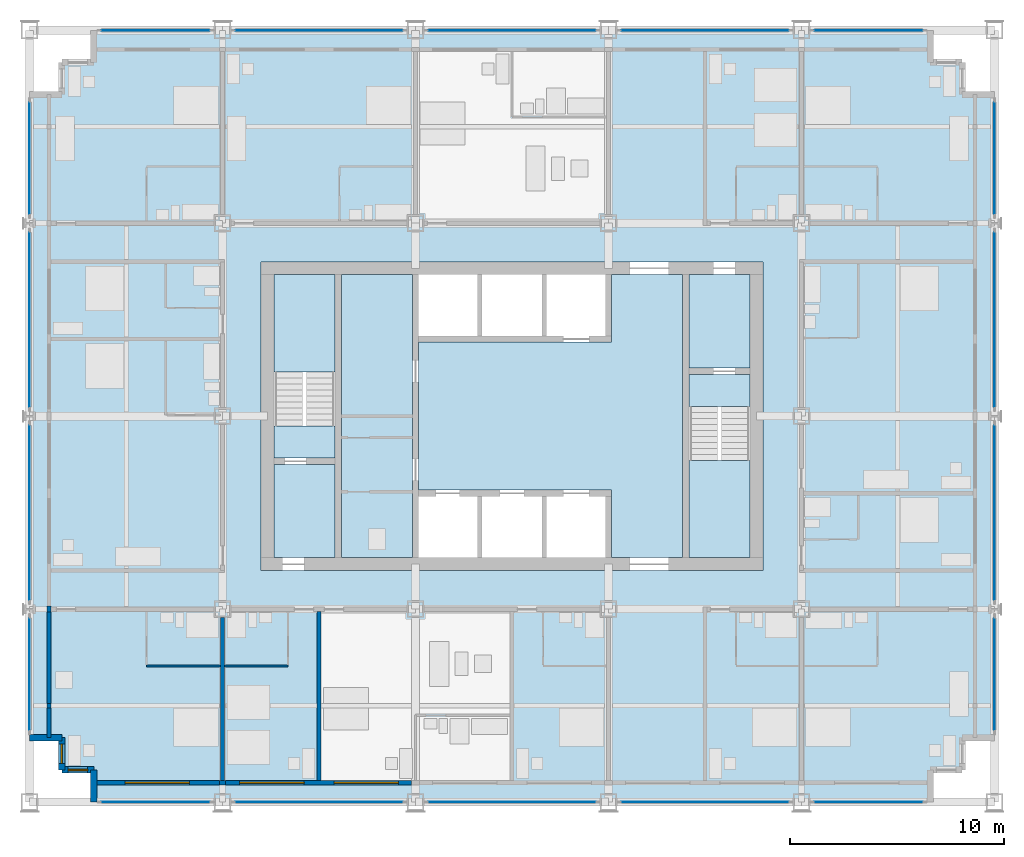
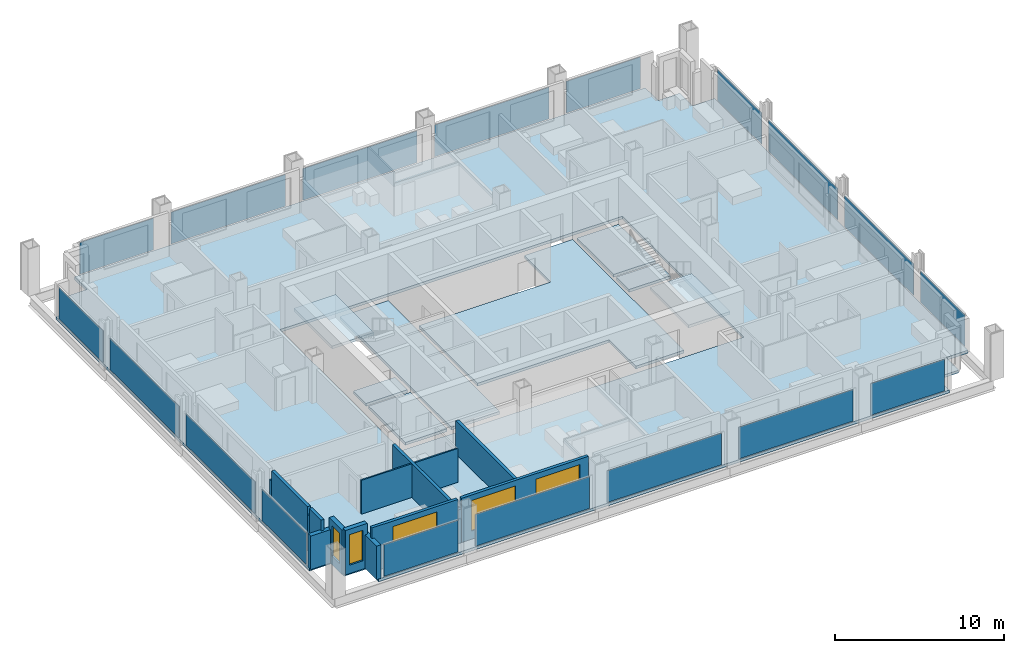
# One storey, part 8 of 16: 18 plates, 15 walls, 9 slabs, 5 windows, 5 openings, 20 elements without a shape of their own.
"""IFC4 building model written with IfcOpenShell, lengths in metres."""

from ifc_helpers import new_model, si_unit, direction, frame, frame_2d, origin, origin_2d, place, context, subcontext, project, spatial, polyline, rectangle, outline, extrude, material, layer, layer_set, type_object, element, fill, aggregate, save


model = new_model("IFC4")

# Units and contexts
model_context = context("Model", 3, precision=1e-05, world=origin(), true_north=direction((0.0, 1.0)))
body_context = subcontext(model_context, "Body", "Model", "MODEL_VIEW")
ifc_project = project(units=[si_unit("LENGTHUNIT", "METRE"), si_unit("AREAUNIT", "SQUARE_METRE"), si_unit("VOLUMEUNIT", "CUBIC_METRE"), si_unit("PLANEANGLEUNIT", "RADIAN"), si_unit("MASSUNIT", "GRAM", prefix="KILO")], contexts=[model_context])

# Site, building, storey
site_placement = place(None, origin())
site = spatial("IfcSite", under=ifc_project, at=site_placement, CompositionType="ELEMENT")
building_placement = place(site_placement, origin())
building = spatial("IfcBuilding", under=site, at=building_placement, Name="Loomwork Tower", CompositionType="ELEMENT")
storey_placement = place(building_placement, frame((0.0, 0.0, 118.0)))
storey = spatial("IfcBuildingStorey", under=building, at=storey_placement, Name="L31", CompositionType="ELEMENT", Elevation=118.0)

# Slabs
ifc_material_1 = material(Name="Concrete 5000 psi (34 MPa) on composite metal deck", Category="concrete")
ifc_layer_1 = layer(ifc_material_1, 0.199951171875)
ifc_layer_set_1 = layer_set([ifc_layer_1], Name="Floor slab 200")
slab_type_1 = type_object("IfcSlabType", Name="Floor slab 200", PredefinedType="FLOOR", material=ifc_layer_set_1)
slab_1_placement = place(storey_placement, frame((0.0, 0.0, -0.199951171875)))
element("IfcSlab", 1, at=slab_1_placement, inside=storey, type_object=slab_type_1, Name="Floor slab L31", PredefinedType="FLOOR", context=body_context, shape_type="SweptSolid", body=[
    extrude(outline(polyline([(3.0, 1.5), (1.5, 1.5), (1.5, 3.0), (0.0, 3.0), (0.0, 33.0), (1.5, 33.0), (1.5, 34.5), (3.0, 34.5), (3.0, 36.0), (42.0, 36.0), (42.0, 34.5), (43.5, 34.5), (43.5, 33.0), (45.0, 33.0), (45.0, 3.0), (43.5, 3.0), (43.5, 1.5), (42.0, 1.5), (42.0, 0.0), (3.0, 0.0), (3.0, 1.5)]), holes=[polyline([(10.800048828125, 11.39990234375), (10.800048828125, 11.39990234375), (10.800048828125, 10.800048828125), (34.199951171875, 10.800048828125), (34.199951171875, 11.39990234375), (34.199951171875, 11.39990234375), (34.199951171875, 24.60009765625), (34.199951171875, 25.199951171875), (10.800048828125, 25.199951171875), (10.800048828125, 24.60009765625), (10.800048828125, 11.39990234375)])]), origin(), (0.0, 0.0, 1.0), 0.199951171875),
])
slab_2_placement = place(storey_placement, frame((0.0, 0.0, -0.199951171875)))
element("IfcSlab", 2, at=slab_2_placement, inside=storey, type_object=slab_type_1, Name="Floor slab L31", PredefinedType="FLOOR", context=body_context, shape_type="SweptSolid", body=[
    extrude(outline(polyline([(30.449951171875, 24.60009765625), (30.449951171875, 11.39990234375), (27.14990234375, 11.39990234375), (27.14990234375, 14.25), (27.14990234375, 14.550048828125), (18.14990234375, 14.550048828125), (18.14990234375, 21.449951171875), (27.14990234375, 21.449951171875), (27.14990234375, 21.75), (27.14990234375, 24.60009765625), (30.449951171875, 24.60009765625)])), origin(), (0.0, 0.0, 1.0), 0.199951171875),
])
slab_3_placement = place(storey_placement, frame((0.0, 0.0, -0.199951171875)))
element("IfcSlab", 3, at=slab_3_placement, inside=storey, type_object=slab_type_1, Name="Floor slab L31", PredefinedType="FLOOR", context=body_context, shape_type="SweptSolid", body=[
    extrude(outline(polyline([(14.550048828125, 11.39990234375), (14.550048828125, 24.60009765625), (17.85009765625, 24.60009765625), (17.85009765625, 11.39990234375), (14.550048828125, 11.39990234375)])), origin(), (0.0, 0.0, 1.0), 0.199951171875),
])
slab_4_placement = place(storey_placement, frame((0.0, 0.0, -0.199951171875)))
element("IfcSlab", 4, at=slab_4_placement, inside=storey, type_object=slab_type_1, Name="Floor slab L31", PredefinedType="FLOOR", context=body_context, shape_type="SweptSolid", body=[
    extrude(outline(polyline([(33.60009765625, 20.25), (30.75, 20.25), (30.75, 24.60009765625), (33.60009765625, 24.60009765625), (33.60009765625, 20.25)])), origin(), (0.0, 0.0, 1.0), 0.199951171875),
])
slab_5_placement = place(storey_placement, frame((0.0, 0.0, -0.199951171875)))
element("IfcSlab", 5, at=slab_5_placement, inside=storey, type_object=slab_type_1, Name="Floor slab L31", PredefinedType="FLOOR", context=body_context, shape_type="SweptSolid", body=[
    extrude(outline(polyline([(14.25, 15.75), (14.25, 11.39990234375), (11.39990234375, 11.39990234375), (11.39990234375, 15.75), (14.25, 15.75)])), origin(), (0.0, 0.0, 1.0), 0.199951171875),
])

# Curtain wall, plate
ifc_material_2 = material(Name="Aluminium curtain wall frame", Category="aluminium")
curtain_wall_type = type_object("IfcCurtainWallType", Name="Outer skin glazing hotel", PredefinedType="NOTDEFINED", material=ifc_material_2)
curtain_wall_1_placement = place(storey_placement, origin())
curtain_wall_1 = element("IfcCurtainWall", 6, at=curtain_wall_1_placement, inside=storey, type_object=curtain_wall_type, Name="Outer skin glazing hotel cw/S-0", PredefinedType="NOTDEFINED")
ifc_material_3 = material(Name="Clear laminated glass", Category="glass")
ifc_layer_2 = layer(ifc_material_3, 0.02392578125)
ifc_layer_set_2 = layer_set([ifc_layer_2], Name="Outer skin glazing hotel panel")
plate_type = type_object("IfcPlateType", Name="Outer skin glazing hotel panel", PredefinedType="CURTAIN_PANEL", material=ifc_layer_set_2)
plate_1_placement = place(storey_placement, frame((5.875, 0.0, 0.06494140625), z_axis=(0.0, 0.0, 1.0), x_axis=(1.0, 0.0, 0.0)))
plate_1 = element("IfcPlate", 7, at=plate_1_placement, type_object=plate_type, Name="CW1 panel 1.1", PredefinedType="CURTAIN_PANEL", context=body_context, shape_type="SweptSolid", body=[
    extrude(rectangle(XDim=5.050048828125, YDim=0.02392578125, at=origin_2d()), origin(), (0.0, 0.0, 1.0), 2.290283203125),
])
aggregate(curtain_wall_1, [plate_1])

curtain_wall_2_placement = place(storey_placement, origin())
curtain_wall_2 = element("IfcCurtainWall", 8, at=curtain_wall_2_placement, inside=storey, type_object=curtain_wall_type, Name="Outer skin glazing hotel cw/S-9", PredefinedType="NOTDEFINED")
plate_2_placement = place(storey_placement, frame((13.5, 0.0, 0.06494140625), z_axis=(0.0, 0.0, 1.0), x_axis=(1.0, 0.0, 0.0)))
plate_2 = element("IfcPlate", 9, at=plate_2_placement, type_object=plate_type, Name="CW1 panel 1.1", PredefinedType="CURTAIN_PANEL", context=body_context, shape_type="SweptSolid", body=[
    extrude(rectangle(XDim=7.800048828125, YDim=0.02392578125, at=origin_2d()), origin(), (0.0, 0.0, 1.0), 2.290283203125),
])
aggregate(curtain_wall_2, [plate_2])

curtain_wall_3_placement = place(storey_placement, origin())
curtain_wall_3 = element("IfcCurtainWall", 10, at=curtain_wall_3_placement, inside=storey, type_object=curtain_wall_type, Name="Outer skin glazing hotel cw/S-18", PredefinedType="NOTDEFINED")
plate_3_placement = place(storey_placement, frame((22.5, 0.0, 0.06494140625), z_axis=(0.0, 0.0, 1.0), x_axis=(1.0, 0.0, 0.0)))
plate_3 = element("IfcPlate", 11, at=plate_3_placement, type_object=plate_type, Name="CW1 panel 1.1", PredefinedType="CURTAIN_PANEL", context=body_context, shape_type="SweptSolid", body=[
    extrude(rectangle(XDim=7.800048828125, YDim=0.02392578125, at=origin_2d()), origin(), (0.0, 0.0, 1.0), 2.290283203125),
])
aggregate(curtain_wall_3, [plate_3])

curtain_wall_4_placement = place(storey_placement, origin())
curtain_wall_4 = element("IfcCurtainWall", 12, at=curtain_wall_4_placement, inside=storey, type_object=curtain_wall_type, Name="Outer skin glazing hotel cw/S-27", PredefinedType="NOTDEFINED")
plate_4_placement = place(storey_placement, frame((31.5, 0.0, 0.06494140625), z_axis=(0.0, 0.0, 1.0), x_axis=(1.0, 0.0, 0.0)))
plate_4 = element("IfcPlate", 13, at=plate_4_placement, type_object=plate_type, Name="CW1 panel 1.1", PredefinedType="CURTAIN_PANEL", context=body_context, shape_type="SweptSolid", body=[
    extrude(rectangle(XDim=7.800048828125, YDim=0.02392578125, at=origin_2d()), origin(), (0.0, 0.0, 1.0), 2.290283203125),
])
aggregate(curtain_wall_4, [plate_4])

curtain_wall_5_placement = place(storey_placement, origin())
curtain_wall_5 = element("IfcCurtainWall", 14, at=curtain_wall_5_placement, inside=storey, type_object=curtain_wall_type, Name="Outer skin glazing hotel cw/S-36", PredefinedType="NOTDEFINED")
plate_5_placement = place(storey_placement, frame((39.125, 0.0, 0.06494140625), z_axis=(0.0, 0.0, 1.0), x_axis=(1.0, 0.0, 0.0)))
plate_5 = element("IfcPlate", 15, at=plate_5_placement, type_object=plate_type, Name="CW1 panel 1.1", PredefinedType="CURTAIN_PANEL", context=body_context, shape_type="SweptSolid", body=[
    extrude(rectangle(XDim=5.050048828125, YDim=0.02392578125, at=origin_2d()), origin(), (0.0, 0.0, 1.0), 2.290283203125),
])
aggregate(curtain_wall_5, [plate_5])

curtain_wall_6_placement = place(storey_placement, origin())
curtain_wall_6 = element("IfcCurtainWall", 16, at=curtain_wall_6_placement, inside=storey, type_object=curtain_wall_type, Name="Outer skin glazing hotel cw/N-0", PredefinedType="NOTDEFINED")
plate_6_placement = place(storey_placement, frame((5.875, 36.0, 0.06494140625), z_axis=(0.0, 0.0, 1.0), x_axis=(-1.0, 0.0, 0.0)))
plate_6 = element("IfcPlate", 17, at=plate_6_placement, type_object=plate_type, Name="CW1 panel 1.1", PredefinedType="CURTAIN_PANEL", context=body_context, shape_type="SweptSolid", body=[
    extrude(rectangle(XDim=5.050048828125, YDim=0.02392578125, at=origin_2d()), origin(), (0.0, 0.0, 1.0), 2.290283203125),
])
aggregate(curtain_wall_6, [plate_6])

curtain_wall_7_placement = place(storey_placement, origin())
curtain_wall_7 = element("IfcCurtainWall", 18, at=curtain_wall_7_placement, inside=storey, type_object=curtain_wall_type, Name="Outer skin glazing hotel cw/N-9", PredefinedType="NOTDEFINED")
plate_7_placement = place(storey_placement, frame((13.5, 36.0, 0.06494140625), z_axis=(0.0, 0.0, 1.0), x_axis=(-1.0, 0.0, 0.0)))
plate_7 = element("IfcPlate", 19, at=plate_7_placement, type_object=plate_type, Name="CW1 panel 1.1", PredefinedType="CURTAIN_PANEL", context=body_context, shape_type="SweptSolid", body=[
    extrude(rectangle(XDim=7.800048828125, YDim=0.02392578125, at=origin_2d()), origin(), (0.0, 0.0, 1.0), 2.290283203125),
])
aggregate(curtain_wall_7, [plate_7])

curtain_wall_8_placement = place(storey_placement, origin())
curtain_wall_8 = element("IfcCurtainWall", 20, at=curtain_wall_8_placement, inside=storey, type_object=curtain_wall_type, Name="Outer skin glazing hotel cw/N-18", PredefinedType="NOTDEFINED")
plate_8_placement = place(storey_placement, frame((22.5, 36.0, 0.06494140625), z_axis=(0.0, 0.0, 1.0), x_axis=(-1.0, 0.0, 0.0)))
plate_8 = element("IfcPlate", 21, at=plate_8_placement, type_object=plate_type, Name="CW1 panel 1.1", PredefinedType="CURTAIN_PANEL", context=body_context, shape_type="SweptSolid", body=[
    extrude(rectangle(XDim=7.800048828125, YDim=0.02392578125, at=origin_2d()), origin(), (0.0, 0.0, 1.0), 2.290283203125),
])
aggregate(curtain_wall_8, [plate_8])

curtain_wall_9_placement = place(storey_placement, origin())
curtain_wall_9 = element("IfcCurtainWall", 22, at=curtain_wall_9_placement, inside=storey, type_object=curtain_wall_type, Name="Outer skin glazing hotel cw/N-27", PredefinedType="NOTDEFINED")
plate_9_placement = place(storey_placement, frame((31.5, 36.0, 0.06494140625), z_axis=(0.0, 0.0, 1.0), x_axis=(-1.0, 0.0, 0.0)))
plate_9 = element("IfcPlate", 23, at=plate_9_placement, type_object=plate_type, Name="CW1 panel 1.1", PredefinedType="CURTAIN_PANEL", context=body_context, shape_type="SweptSolid", body=[
    extrude(rectangle(XDim=7.800048828125, YDim=0.02392578125, at=origin_2d()), origin(), (0.0, 0.0, 1.0), 2.290283203125),
])
aggregate(curtain_wall_9, [plate_9])

curtain_wall_10_placement = place(storey_placement, origin())
curtain_wall_10 = element("IfcCurtainWall", 24, at=curtain_wall_10_placement, inside=storey, type_object=curtain_wall_type, Name="Outer skin glazing hotel cw/N-36", PredefinedType="NOTDEFINED")
plate_10_placement = place(storey_placement, frame((39.125, 36.0, 0.06494140625), z_axis=(0.0, 0.0, 1.0), x_axis=(-1.0, 0.0, 0.0)))
plate_10 = element("IfcPlate", 25, at=plate_10_placement, type_object=plate_type, Name="CW1 panel 1.1", PredefinedType="CURTAIN_PANEL", context=body_context, shape_type="SweptSolid", body=[
    extrude(rectangle(XDim=5.050048828125, YDim=0.02392578125, at=origin_2d()), origin(), (0.0, 0.0, 1.0), 2.290283203125),
])
aggregate(curtain_wall_10, [plate_10])

curtain_wall_11_placement = place(storey_placement, origin())
curtain_wall_11 = element("IfcCurtainWall", 26, at=curtain_wall_11_placement, inside=storey, type_object=curtain_wall_type, Name="Outer skin glazing hotel cw/W-0", PredefinedType="NOTDEFINED")
plate_11_placement = place(storey_placement, frame((0.0, 5.962646484375, 0.06494140625), z_axis=(0.0, 0.0, 1.0), x_axis=(0.0, -1.0, 0.0)))
plate_11 = element("IfcPlate", 27, at=plate_11_placement, type_object=plate_type, Name="CW1 panel 1.1", PredefinedType="CURTAIN_PANEL", context=body_context, shape_type="SweptSolid", body=[
    extrude(rectangle(XDim=5.22509765625, YDim=0.02392578125, at=origin_2d()), origin(), (0.0, 0.0, 1.0), 2.290283203125),
])
aggregate(curtain_wall_11, [plate_11])

curtain_wall_12_placement = place(storey_placement, origin())
curtain_wall_12 = element("IfcCurtainWall", 28, at=curtain_wall_12_placement, inside=storey, type_object=curtain_wall_type, Name="Outer skin glazing hotel cw/W-9", PredefinedType="NOTDEFINED")
plate_12_placement = place(storey_placement, frame((0.0, 13.5, 0.06494140625), z_axis=(0.0, 0.0, 1.0), x_axis=(0.0, -1.0, 0.0)))
plate_12 = element("IfcPlate", 29, at=plate_12_placement, type_object=plate_type, Name="CW1 panel 1.1", PredefinedType="CURTAIN_PANEL", context=body_context, shape_type="SweptSolid", body=[
    extrude(rectangle(XDim=8.150390625, YDim=0.02392578125, at=origin_2d()), origin(), (0.0, 0.0, 1.0), 2.290283203125),
])
aggregate(curtain_wall_12, [plate_12])

curtain_wall_13_placement = place(storey_placement, origin())
curtain_wall_13 = element("IfcCurtainWall", 30, at=curtain_wall_13_placement, inside=storey, type_object=curtain_wall_type, Name="Outer skin glazing hotel cw/W-18", PredefinedType="NOTDEFINED")
plate_13_placement = place(storey_placement, frame((0.0, 22.5, 0.06494140625), z_axis=(0.0, 0.0, 1.0), x_axis=(0.0, -1.0, 0.0)))
plate_13 = element("IfcPlate", 31, at=plate_13_placement, type_object=plate_type, Name="CW1 panel 1.1", PredefinedType="CURTAIN_PANEL", context=body_context, shape_type="SweptSolid", body=[
    extrude(rectangle(XDim=8.150390625, YDim=0.02392578125, at=origin_2d()), origin(), (0.0, 0.0, 1.0), 2.290283203125),
])
aggregate(curtain_wall_13, [plate_13])

curtain_wall_14_placement = place(storey_placement, origin())
curtain_wall_14 = element("IfcCurtainWall", 32, at=curtain_wall_14_placement, inside=storey, type_object=curtain_wall_type, Name="Outer skin glazing hotel cw/W-27", PredefinedType="NOTDEFINED")
plate_14_placement = place(storey_placement, frame((0.0, 30.037353515625, 0.06494140625), z_axis=(0.0, 0.0, 1.0), x_axis=(0.0, -1.0, 0.0)))
plate_14 = element("IfcPlate", 33, at=plate_14_placement, type_object=plate_type, Name="CW1 panel 1.1", PredefinedType="CURTAIN_PANEL", context=body_context, shape_type="SweptSolid", body=[
    extrude(rectangle(XDim=5.22509765625, YDim=0.02392578125, at=origin_2d()), origin(), (0.0, 0.0, 1.0), 2.290283203125),
])
aggregate(curtain_wall_14, [plate_14])

curtain_wall_15_placement = place(storey_placement, origin())
curtain_wall_15 = element("IfcCurtainWall", 34, at=curtain_wall_15_placement, inside=storey, type_object=curtain_wall_type, Name="Outer skin glazing hotel cw/E-0", PredefinedType="NOTDEFINED")
plate_15_placement = place(storey_placement, frame((45.0, 5.962646484375, 0.06494140625), z_axis=(0.0, 0.0, 1.0), x_axis=(0.0, 1.0, 0.0)))
plate_15 = element("IfcPlate", 35, at=plate_15_placement, type_object=plate_type, Name="CW1 panel 1.1", PredefinedType="CURTAIN_PANEL", context=body_context, shape_type="SweptSolid", body=[
    extrude(rectangle(XDim=5.22509765625, YDim=0.02392578125, at=origin_2d()), origin(), (0.0, 0.0, 1.0), 2.290283203125),
])
aggregate(curtain_wall_15, [plate_15])

curtain_wall_16_placement = place(storey_placement, origin())
curtain_wall_16 = element("IfcCurtainWall", 36, at=curtain_wall_16_placement, inside=storey, type_object=curtain_wall_type, Name="Outer skin glazing hotel cw/E-9", PredefinedType="NOTDEFINED")
plate_16_placement = place(storey_placement, frame((45.0, 13.5, 0.06494140625), z_axis=(0.0, 0.0, 1.0), x_axis=(0.0, 1.0, 0.0)))
plate_16 = element("IfcPlate", 37, at=plate_16_placement, type_object=plate_type, Name="CW1 panel 1.1", PredefinedType="CURTAIN_PANEL", context=body_context, shape_type="SweptSolid", body=[
    extrude(rectangle(XDim=8.150390625, YDim=0.02392578125, at=origin_2d()), origin(), (0.0, 0.0, 1.0), 2.290283203125),
])
aggregate(curtain_wall_16, [plate_16])

curtain_wall_17_placement = place(storey_placement, origin())
curtain_wall_17 = element("IfcCurtainWall", 38, at=curtain_wall_17_placement, inside=storey, type_object=curtain_wall_type, Name="Outer skin glazing hotel cw/E-18", PredefinedType="NOTDEFINED")
plate_17_placement = place(storey_placement, frame((45.0, 22.5, 0.06494140625), z_axis=(0.0, 0.0, 1.0), x_axis=(0.0, 1.0, 0.0)))
plate_17 = element("IfcPlate", 39, at=plate_17_placement, type_object=plate_type, Name="CW1 panel 1.1", PredefinedType="CURTAIN_PANEL", context=body_context, shape_type="SweptSolid", body=[
    extrude(rectangle(XDim=8.150390625, YDim=0.02392578125, at=origin_2d()), origin(), (0.0, 0.0, 1.0), 2.290283203125),
])
aggregate(curtain_wall_17, [plate_17])

curtain_wall_18_placement = place(storey_placement, origin())
curtain_wall_18 = element("IfcCurtainWall", 40, at=curtain_wall_18_placement, inside=storey, type_object=curtain_wall_type, Name="Outer skin glazing hotel cw/E-27", PredefinedType="NOTDEFINED")
plate_18_placement = place(storey_placement, frame((45.0, 30.037353515625, 0.06494140625), z_axis=(0.0, 0.0, 1.0), x_axis=(0.0, 1.0, 0.0)))
plate_18 = element("IfcPlate", 41, at=plate_18_placement, type_object=plate_type, Name="CW1 panel 1.1", PredefinedType="CURTAIN_PANEL", context=body_context, shape_type="SweptSolid", body=[
    extrude(rectangle(XDim=5.22509765625, YDim=0.02392578125, at=origin_2d()), origin(), (0.0, 0.0, 1.0), 2.290283203125),
])
aggregate(curtain_wall_18, [plate_18])

# Stair, slabs
ifc_material_4 = material(Name="Concrete 5000 psi (34 MPa) precast stair", Category="concrete")
stair_type_1 = type_object("IfcStairType", Name="Stair ST-A 20 risers 2850 wide", PredefinedType="HALF_TURN_STAIR", material=ifc_material_4)
stair_1_placement = place(storey_placement, origin())
stair_1 = element("IfcStair", 42, at=stair_1_placement, inside=storey, type_object=stair_type_1, Name="Stair A L31", PredefinedType="HALF_TURN_STAIR")
ifc_material_5 = material(Name="Concrete 5000 psi (34 MPa)", Category="concrete")
ifc_layer_3 = layer(ifc_material_5, 0.199951171875)
ifc_layer_set_3 = layer_set([ifc_layer_3], Name="Stair landing 200")
slab_type_2 = type_object("IfcSlabType", Name="Stair landing 200", PredefinedType="LANDING", material=ifc_layer_set_3)
slab_6_placement = place(storey_placement, frame((0.0, 0.0, -0.199951171875)))
slab_6 = element("IfcSlab", 43, at=slab_6_placement, type_object=slab_type_2, Name="ST-A landing 1", PredefinedType="LANDING", context=body_context, shape_type="SweptSolid", body=[
    extrude(outline(polyline([(11.39990234375, 16.050048828125), (14.25, 16.050048828125), (14.25, 17.550048828125), (11.39990234375, 17.550048828125), (11.39990234375, 16.050048828125)])), origin(), (0.0, 0.0, 1.0), 0.199951171875),
])
slab_7_placement = place(storey_placement, frame((0.0, 0.0, 1.5)))
slab_7 = element("IfcSlab", 44, at=slab_7_placement, type_object=slab_type_2, Name="ST-A landing 2", PredefinedType="LANDING", context=body_context, shape_type="SweptSolid", body=[
    extrude(outline(polyline([(11.39990234375, 20.070068359375), (14.25, 20.070068359375), (14.25, 24.60009765625), (11.39990234375, 24.60009765625), (11.39990234375, 20.070068359375)])), origin(), (0.0, 0.0, 1.0), 0.199951171875),
])
aggregate(stair_1, [slab_6, slab_7])

ifc_material_6 = material(Name="Concrete 5000 psi (34 MPa) precast stair", Category="concrete")
stair_type_2 = type_object("IfcStairType", Name="Stair ST-B 20 risers 2850 wide", PredefinedType="HALF_TURN_STAIR", material=ifc_material_6)
stair_2_placement = place(storey_placement, origin())
stair_2 = element("IfcStair", 45, at=stair_2_placement, inside=storey, type_object=stair_type_2, Name="Stair B L31", PredefinedType="HALF_TURN_STAIR")
slab_8_placement = place(storey_placement, frame((0.0, 0.0, -0.199951171875)))
slab_8 = element("IfcSlab", 46, at=slab_8_placement, type_object=slab_type_2, Name="ST-B landing 1", PredefinedType="LANDING", context=body_context, shape_type="SweptSolid", body=[
    extrude(outline(polyline([(30.75, 18.449951171875), (33.60009765625, 18.449951171875), (33.60009765625, 19.949951171875), (30.75, 19.949951171875), (30.75, 18.449951171875)])), origin(), (0.0, 0.0, 1.0), 0.199951171875),
])
slab_9_placement = place(storey_placement, frame((0.0, 0.0, 1.5)))
slab_9 = element("IfcSlab", 47, at=slab_9_placement, type_object=slab_type_2, Name="ST-B landing 2", PredefinedType="LANDING", context=body_context, shape_type="SweptSolid", body=[
    extrude(outline(polyline([(30.75, 11.39990234375), (33.60009765625, 11.39990234375), (33.60009765625, 15.929931640625), (30.75, 15.929931640625), (30.75, 11.39990234375)])), origin(), (0.0, 0.0, 1.0), 0.199951171875),
])
aggregate(stair_2, [slab_8, slab_9])

# Walls
ifc_material_7 = material(Name="Cement board on steel studs", Category="steel")
ifc_layer_4 = layer(ifc_material_7, 0.10009765625)
ifc_layer_set_4 = layer_set([ifc_layer_4], Name="En-suite partition 100")
wall_type_1 = type_object("IfcWallType", Name="En-suite partition 100", PredefinedType="PARTITIONING", material=ifc_layer_set_4)
wall_1_placement = place(storey_placement, frame((5.449951171875, 6.35009765625, 0.0), z_axis=(0.0, 0.0, 1.0), x_axis=(1.0, 0.0, 0.0)))
element("IfcWall", 48, at=wall_1_placement, inside=storey, type_object=wall_type_1, Name="En-suite wall L31 room 1", PredefinedType="PARTITIONING", context=body_context, shape_type="SweptSolid", body=[
    extrude(rectangle(XDim=3.449951171875, YDim=0.10009765625, at=frame_2d((1.72509765625, 0.0))), origin(), (0.0, 0.0, 1.0), 2.43798828125),
])
wall_2_placement = place(storey_placement, frame((9.10009765625, 6.35009765625, 0.0), z_axis=(0.0, 0.0, 1.0), x_axis=(1.0, 0.0, 0.0)))
element("IfcWall", 49, at=wall_2_placement, inside=storey, type_object=wall_type_1, Name="En-suite wall L31 room 2", PredefinedType="PARTITIONING", context=body_context, shape_type="SweptSolid", body=[
    extrude(rectangle(XDim=2.949951171875, YDim=0.10009765625, at=frame_2d((1.47509765625, 0.0))), origin(), (0.0, 0.0, 1.0), 2.43798828125),
])
ifc_material_8 = material(Name="Gypsum board on steel studs, acoustic", Category="steel")
ifc_layer_5 = layer(ifc_material_8, 0.199951171875)
ifc_layer_set_5 = layer_set([ifc_layer_5], Name="Guest room party wall 200")
wall_type_2 = type_object("IfcWallType", Name="Guest room party wall 200", PredefinedType="PARTITIONING", material=ifc_layer_set_5)
wall_3_placement = place(storey_placement, frame((9.0, 8.60009765625, 0.0), z_axis=(0.0, 0.0, 1.0), x_axis=(0.0, -1.0, 0.0)))
element("IfcWall", 50, at=wall_3_placement, inside=storey, type_object=wall_type_2, Name="Guest room party wall S 9", PredefinedType="PARTITIONING", context=body_context, shape_type="SweptSolid", body=[
    extrude(rectangle(XDim=7.60009765625, YDim=0.199951171875, at=frame_2d((3.800048828125, 0.0))), origin(), (0.0, 0.0, 1.0), 2.43798828125),
])
wall_4_placement = place(storey_placement, frame((13.5, 8.89990234375, 0.0), z_axis=(0.0, 0.0, 1.0), x_axis=(0.0, -1.0, 0.0)))
element("IfcWall", 51, at=wall_4_placement, inside=storey, type_object=wall_type_2, Name="Guest room party wall S 13.5", PredefinedType="PARTITIONING", context=body_context, shape_type="SweptSolid", body=[
    extrude(rectangle(XDim=7.89990234375, YDim=0.199951171875, at=frame_2d((3.949951171875, 0.0))), origin(), (0.0, 0.0, 1.0), 2.404052734375),
])

# Wall, opening, window
ifc_material_9 = material(Name="Insulated steel stud wall with gypsum lining", Category="steel")
ifc_layer_6 = layer(ifc_material_9, 0.199951171875)
ifc_layer_set_6 = layer_set([ifc_layer_6], Name="Inner skin wall 200")
wall_type_3 = type_object("IfcWallType", Name="Inner skin wall 200", PredefinedType="SOLIDWALL", material=ifc_layer_set_6)
wall_5_placement = place(storey_placement, frame((3.0, 0.89990234375, 0.0), z_axis=(0.0, 0.0, 1.0), x_axis=(1.0, 0.0, 0.0)))
wall_5 = element("IfcWall", 52, at=wall_5_placement, inside=storey, type_object=wall_type_3, Name="Inner skin wall S", PredefinedType="SOLIDWALL", context=body_context, shape_type="SweptSolid", body=[
    extrude(rectangle(XDim=5.86474609375, YDim=0.199951171875, at=frame_2d((2.932373046875, 0.0))), origin(), (0.0, 0.0, 1.0), 3.199951171875),
])
opening_1_placement = place(wall_5_placement, frame((1.449951171875, 0.0, 0.60009765625)))
opening_1 = element("IfcOpeningElement", 53, at=opening_1_placement, cuts=wall_5, Name="Opening CH1", PredefinedType="OPENING", context=body_context, shape_type="SweptSolid", body=[
    extrude(rectangle(XDim=3.0, YDim=2.199951171875, at=frame_2d((1.5, 1.10009765625))), frame((0.0, 0.10986328125, 0.0), z_axis=(0.0, -1.0, 0.0), x_axis=(1.0, 0.0, 0.0)), (0.0, 0.0, 1.0), 0.219970703125),
])
ifc_material_10 = material(Name="Aluminium frame with clear insulated glass", Category="aluminium")
window_type_1 = type_object("IfcWindowType", Name="Chicago window 3000", PartitioningType="TRIPLE_PANEL_VERTICAL", PredefinedType="WINDOW", material=ifc_material_10)
window_1_placement = place(opening_1_placement, origin())
window_1 = element("IfcWindow", 54, at=window_1_placement, inside=storey, type_object=window_type_1, Name="Chicago window L31 bay 1", OverallHeight=2.199951171875, OverallWidth=3.0, PartitioningType="TRIPLE_PANEL_VERTICAL", PredefinedType="WINDOW", context=body_context, shape_type="SweptSolid", body=[
    extrude(rectangle(XDim=3.0, YDim=2.199951171875, at=frame_2d((1.5, 1.10009765625))), frame((0.0, 0.030029296875, 0.0), z_axis=(0.0, -1.0, 0.0), x_axis=(1.0, 0.0, 0.0)), (0.0, 0.0, 1.0), 0.06005859375),
])
fill(opening_1, window_1)

# Walls
wall_6_placement = place(storey_placement, frame((0.89990234375, 3.0, 0.0), z_axis=(0.0, 0.0, 1.0), x_axis=(0.0, 1.0, 0.0)))
element("IfcWall", 55, at=wall_6_placement, inside=storey, type_object=wall_type_3, Name="Inner skin wall W", PredefinedType="SOLIDWALL", context=body_context, shape_type="SweptSolid", body=[
    extrude(rectangle(XDim=1.392578125, YDim=0.199951171875, at=frame_2d((0.6962890625, 0.0))), origin(), (0.0, 0.0, 1.0), 3.199951171875),
])
wall_7_placement = place(storey_placement, frame((8.86474609375, 0.89990234375, 0.0), z_axis=(0.0, 0.0, 1.0), x_axis=(1.0, 0.0, 0.0)))
element("IfcWall", 56, at=wall_7_placement, inside=storey, type_object=wall_type_3, Name="Inner skin wall S bay 2", PredefinedType="SOLIDWALL", context=body_context, shape_type="SweptSolid", body=[
    extrude(rectangle(XDim=0.2705078125, YDim=0.199951171875, at=frame_2d((0.13525390625, 0.0))), origin(), (0.0, 0.0, 1.0), 2.43798828125),
])

# Wall, openings, windows
wall_8_placement = place(storey_placement, frame((9.13525390625, 0.89990234375, 0.0), z_axis=(0.0, 0.0, 1.0), x_axis=(1.0, 0.0, 0.0)))
wall_8 = element("IfcWall", 57, at=wall_8_placement, inside=storey, type_object=wall_type_3, Name="Inner skin wall S bay 3", PredefinedType="SOLIDWALL", context=body_context, shape_type="SweptSolid", body=[
    extrude(rectangle(XDim=8.6708984375, YDim=0.199951171875, at=frame_2d((4.33544921875, 0.0))), origin(), (0.0, 0.0, 1.0), 3.199951171875),
])
opening_2_placement = place(wall_8_placement, frame((0.664794921875, 0.0, 0.60009765625)))
opening_2 = element("IfcOpeningElement", 58, at=opening_2_placement, cuts=wall_8, Name="Opening CH1", PredefinedType="OPENING", context=body_context, shape_type="SweptSolid", body=[
    extrude(rectangle(XDim=3.0, YDim=2.199951171875, at=frame_2d((1.5, 1.10009765625))), frame((0.0, 0.10986328125, 0.0), z_axis=(0.0, -1.0, 0.0), x_axis=(1.0, 0.0, 0.0)), (0.0, 0.0, 1.0), 0.219970703125),
])
opening_3_placement = place(wall_8_placement, frame((5.064697265625, 0.0, 0.60009765625)))
opening_3 = element("IfcOpeningElement", 59, at=opening_3_placement, cuts=wall_8, Name="Opening CH1", PredefinedType="OPENING", context=body_context, shape_type="SweptSolid", body=[
    extrude(rectangle(XDim=3.0, YDim=2.199951171875, at=frame_2d((1.5, 1.10009765625))), frame((0.0, 0.10986328125, 0.0), z_axis=(0.0, -1.0, 0.0), x_axis=(1.0, 0.0, 0.0)), (0.0, 0.0, 1.0), 0.219970703125),
])
window_2_placement = place(opening_2_placement, origin())
window_2 = element("IfcWindow", 60, at=window_2_placement, inside=storey, type_object=window_type_1, Name="Chicago window L31 bay 2", OverallHeight=2.199951171875, OverallWidth=3.0, PartitioningType="TRIPLE_PANEL_VERTICAL", PredefinedType="WINDOW", context=body_context, shape_type="SweptSolid", body=[
    extrude(rectangle(XDim=3.0, YDim=2.199951171875, at=frame_2d((1.5, 1.10009765625))), frame((0.0, 0.030029296875, 0.0), z_axis=(0.0, -1.0, 0.0), x_axis=(1.0, 0.0, 0.0)), (0.0, 0.0, 1.0), 0.06005859375),
])
fill(opening_2, window_2)
window_3_placement = place(opening_3_placement, origin())
window_3 = element("IfcWindow", 61, at=window_3_placement, inside=storey, type_object=window_type_1, Name="Chicago window L31 bay 2", OverallHeight=2.199951171875, OverallWidth=3.0, PartitioningType="TRIPLE_PANEL_VERTICAL", PredefinedType="WINDOW", context=body_context, shape_type="SweptSolid", body=[
    extrude(rectangle(XDim=3.0, YDim=2.199951171875, at=frame_2d((1.5, 1.10009765625))), frame((0.0, 0.030029296875, 0.0), z_axis=(0.0, -1.0, 0.0), x_axis=(1.0, 0.0, 0.0)), (0.0, 0.0, 1.0), 0.06005859375),
])
fill(opening_3, window_3)

# Walls
wall_9_placement = place(storey_placement, frame((0.89990234375, 4.392578125, 0.0), z_axis=(0.0, 0.0, 1.0), x_axis=(0.0, 1.0, 0.0)))
element("IfcWall", 62, at=wall_9_placement, inside=storey, type_object=wall_type_3, Name="Inner skin wall W bay 2", PredefinedType="SOLIDWALL", context=body_context, shape_type="SweptSolid", body=[
    extrude(rectangle(XDim=0.21484375, YDim=0.199951171875, at=frame_2d((0.107421875, 0.0))), origin(), (0.0, 0.0, 1.0), 2.660888671875),
])
wall_10_placement = place(storey_placement, frame((0.89990234375, 4.607421875, 0.0), z_axis=(0.0, 0.0, 1.0), x_axis=(0.0, 1.0, 0.0)))
element("IfcWall", 63, at=wall_10_placement, inside=storey, type_object=wall_type_3, Name="Inner skin wall W bay 3", PredefinedType="SOLIDWALL", context=body_context, shape_type="SweptSolid", body=[
    extrude(rectangle(XDim=4.25732421875, YDim=0.199951171875, at=frame_2d((2.128662109375, 0.0))), origin(), (0.0, 0.0, 1.0), 3.199951171875),
])
wall_11_placement = place(storey_placement, frame((0.89990234375, 8.86474609375, 0.0), z_axis=(0.0, 0.0, 1.0), x_axis=(0.0, 1.0, 0.0)))
element("IfcWall", 64, at=wall_11_placement, inside=storey, type_object=wall_type_3, Name="Inner skin wall W bay 4", PredefinedType="SOLIDWALL", context=body_context, shape_type="SweptSolid", body=[
    extrude(rectangle(XDim=0.2705078125, YDim=0.199951171875, at=frame_2d((0.13525390625, 0.0))), origin(), (0.0, 0.0, 1.0), 2.43798828125),
])
ifc_material_11 = material(Name="Limestone on concrete masonry", Category="masonry")
ifc_layer_7 = layer(ifc_material_11, 0.300048828125)
ifc_layer_set_7 = layer_set([ifc_layer_7], Name="Limestone corner wall 300")
wall_type_4 = type_object("IfcWallType", Name="Limestone corner wall 300", PredefinedType="SOLIDWALL", material=ifc_layer_set_7)
wall_12_placement = place(storey_placement, frame((0.0, 3.0, 0.0), z_axis=(0.0, 0.0, 1.0), x_axis=(1.0, 0.0, 0.0)))
element("IfcWall", 65, at=wall_12_placement, inside=storey, type_object=wall_type_4, Name="Stone corner wall SW 1", PredefinedType="SOLIDWALL", context=body_context, shape_type="SweptSolid", body=[
    extrude(rectangle(XDim=1.5, YDim=0.300048828125, at=frame_2d((0.75, 0.0))), origin(), (0.0, 0.0, 1.0), 2.419921875),
])

# Wall, opening, window
wall_13_placement = place(storey_placement, frame((1.5, 3.0, 0.0), z_axis=(0.0, 0.0, 1.0), x_axis=(0.0, -1.0, 0.0)))
wall_13 = element("IfcWall", 66, at=wall_13_placement, inside=storey, type_object=wall_type_4, Name="Stone corner wall SW 2", PredefinedType="SOLIDWALL", context=body_context, shape_type="SweptSolid", body=[
    extrude(rectangle(XDim=1.5, YDim=0.300048828125, at=frame_2d((0.75, 0.0))), origin(), (0.0, 0.0, 1.0), 3.199951171875),
])
opening_4_placement = place(wall_13_placement, frame((0.300048828125, 0.0, 0.60009765625)))
opening_4 = element("IfcOpeningElement", 67, at=opening_4_placement, cuts=wall_13, Name="Opening CH2", PredefinedType="OPENING", context=body_context, shape_type="SweptSolid", body=[
    extrude(rectangle(XDim=0.89990234375, YDim=2.199951171875, at=frame_2d((0.449951171875, 1.10009765625))), frame((0.0, 0.159912109375, 0.0), z_axis=(0.0, -1.0, 0.0), x_axis=(1.0, 0.0, 0.0)), (0.0, 0.0, 1.0), 0.320068359375),
])
ifc_material_12 = material(Name="Aluminium frame with clear insulated glass", Category="aluminium")
window_type_2 = type_object("IfcWindowType", Name="Corner window 900", PartitioningType="SINGLE_PANEL", PredefinedType="WINDOW", material=ifc_material_12)
window_4_placement = place(opening_4_placement, origin())
window_4 = element("IfcWindow", 68, at=window_4_placement, inside=storey, type_object=window_type_2, Name="Corner window SW", OverallHeight=2.199951171875, OverallWidth=0.89990234375, PartitioningType="SINGLE_PANEL", PredefinedType="WINDOW", context=body_context, shape_type="SweptSolid", body=[
    extrude(rectangle(XDim=0.89990234375, YDim=2.199951171875, at=frame_2d((0.449951171875, 1.10009765625))), frame((0.0, 0.030029296875, 0.0), z_axis=(0.0, -1.0, 0.0), x_axis=(1.0, 0.0, 0.0)), (0.0, 0.0, 1.0), 0.06005859375),
])
fill(opening_4, window_4)

wall_14_placement = place(storey_placement, frame((1.5, 1.5, 0.0), z_axis=(0.0, 0.0, 1.0), x_axis=(1.0, 0.0, 0.0)))
wall_14 = element("IfcWall", 69, at=wall_14_placement, inside=storey, type_object=wall_type_4, Name="Stone corner wall SW 3", PredefinedType="SOLIDWALL", context=body_context, shape_type="SweptSolid", body=[
    extrude(rectangle(XDim=1.5, YDim=0.300048828125, at=frame_2d((0.75, 0.0))), origin(), (0.0, 0.0, 1.0), 3.199951171875),
])
opening_5_placement = place(wall_14_placement, frame((0.300048828125, 0.0, 0.60009765625)))
opening_5 = element("IfcOpeningElement", 70, at=opening_5_placement, cuts=wall_14, Name="Opening CH2", PredefinedType="OPENING", context=body_context, shape_type="SweptSolid", body=[
    extrude(rectangle(XDim=0.89990234375, YDim=2.199951171875, at=frame_2d((0.449951171875, 1.10009765625))), frame((0.0, 0.159912109375, 0.0), z_axis=(0.0, -1.0, 0.0), x_axis=(1.0, 0.0, 0.0)), (0.0, 0.0, 1.0), 0.320068359375),
])
window_5_placement = place(opening_5_placement, origin())
window_5 = element("IfcWindow", 71, at=window_5_placement, inside=storey, type_object=window_type_2, Name="Corner window SW", OverallHeight=2.199951171875, OverallWidth=0.89990234375, PartitioningType="SINGLE_PANEL", PredefinedType="WINDOW", context=body_context, shape_type="SweptSolid", body=[
    extrude(rectangle(XDim=0.89990234375, YDim=2.199951171875, at=frame_2d((0.449951171875, 1.10009765625))), frame((0.0, 0.030029296875, 0.0), z_axis=(0.0, -1.0, 0.0), x_axis=(1.0, 0.0, 0.0)), (0.0, 0.0, 1.0), 0.06005859375),
])
fill(opening_5, window_5)

# Wall
wall_15_placement = place(storey_placement, frame((3.0, 1.5, 0.0), z_axis=(0.0, 0.0, 1.0), x_axis=(0.0, -1.0, 0.0)))
element("IfcWall", 72, at=wall_15_placement, inside=storey, type_object=wall_type_4, Name="Stone corner wall SW 4", PredefinedType="SOLIDWALL", context=body_context, shape_type="SweptSolid", body=[
    extrude(rectangle(XDim=1.5, YDim=0.300048828125, at=frame_2d((0.75, 0.0))), origin(), (0.0, 0.0, 1.0), 2.419921875),
])

save(model, "model.ifc")
